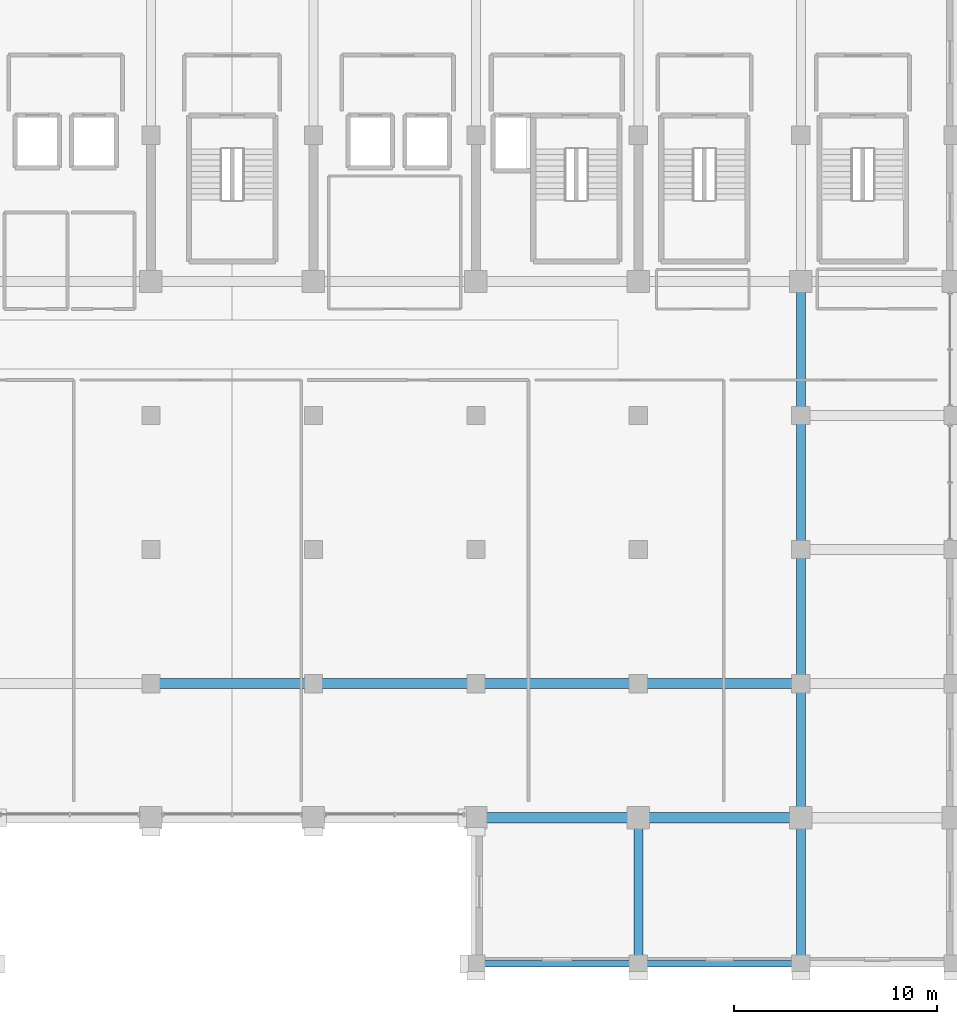
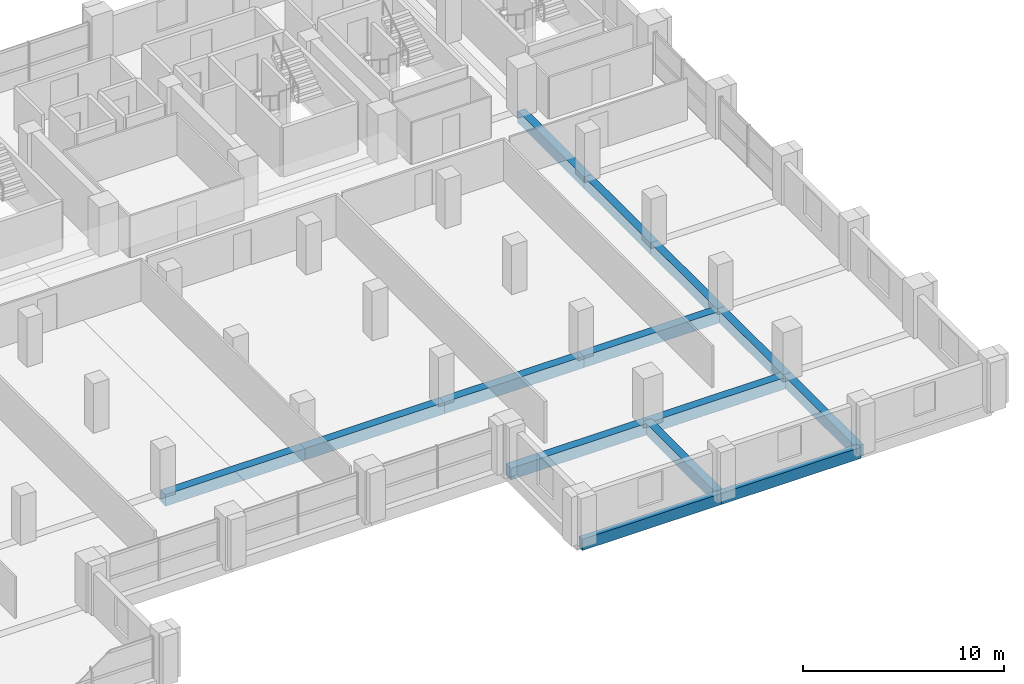
# One storey, part 7 of 21: 14 beams.
"""IFC4 building model written with IfcOpenShell, lengths in metres."""

from ifc_helpers import new_model, si_unit, direction, frame, origin, origin_2d, place, context, subcontext, project, spatial, rectangle, extrude, material, material_profile, profile_set, type_object, element, save


model = new_model("IFC4")

# Units and contexts
model_context = context("Model", 3, precision=1e-05, world=origin(), true_north=direction((0.0, 1.0)))
body_context = subcontext(model_context, "Body", "Model", "MODEL_VIEW")
ifc_project = project(units=[si_unit("LENGTHUNIT", "METRE"), si_unit("AREAUNIT", "SQUARE_METRE"), si_unit("VOLUMEUNIT", "CUBIC_METRE"), si_unit("PLANEANGLEUNIT", "RADIAN"), si_unit("MASSUNIT", "GRAM", prefix="KILO")], contexts=[model_context])

# Site, building, storey
site_placement = place(None, origin())
site = spatial("IfcSite", under=ifc_project, at=site_placement, CompositionType="ELEMENT")
building_placement = place(site_placement, origin())
building = spatial("IfcBuilding", under=site, at=building_placement, Name="Akrevak Sports Hall", CompositionType="ELEMENT")
storey_placement = place(building_placement, frame((0.0, 0.0, 27.550048828125)))
storey = spatial("IfcBuildingStorey", under=building, at=storey_placement, Name="L05", CompositionType="ELEMENT", Elevation=27.550048828125)

# Beams
ifc_material = material(Name="Concrete C40/50", Category="concrete")
ifc_material_profile_1 = material_profile(ifc_material, rectangle(XDim=0.449951171875, YDim=0.699951171875, at=origin_2d()), Name="BM 450x700", Category="concrete")
ifc_profile_set_1 = profile_set([ifc_material_profile_1], Name="Concrete C40/50")
beam_type_1 = type_object("IfcBeamType", Name="STR-BM-RC450x700", PredefinedType="BEAM", material=ifc_profile_set_1)
for number, where, z_axis, x_axis, name in (
    (1, (100.0, 21.60009765625, -0.35009765625), (0.0, 1.0, 0.0), (-1.0, 0.0, 0.0), "Girder 14/D-E (L05)"),
    (2, (108.0, 21.60009765625, -0.35009765625), (0.0, 1.0, 0.0), (-1.0, 0.0, 0.0), "Girder 15/D-E (L05)"),
):
    element("IfcBeam", number, at=place(storey_placement, frame(where, z_axis=z_axis, x_axis=x_axis)), inside=storey, type_object=beam_type_1, Name=name, PredefinedType="BEAM", context=body_context, shape_type="SweptSolid", body=[
        extrude(rectangle(XDim=0.449951171875, YDim=0.699951171875, at=origin_2d()), origin(), (0.0, 0.0, 1.0), 7.199951171875),
    ])
beam_1_placement = place(storey_placement, frame((108.0, 28.800048828125, -0.35009765625), z_axis=(0.0, 1.0, 0.0), x_axis=(-1.0, 0.0, 0.0)))
element("IfcBeam", 3, at=beam_1_placement, inside=storey, type_object=beam_type_1, Name="Girder 15/E-F (L05)", PredefinedType="BEAM", context=body_context, shape_type="SweptSolid", body=[
    extrude(rectangle(XDim=0.449951171875, YDim=0.699951171875, at=origin_2d()), origin(), (0.0, 0.0, 1.0), 6.599853515625),
])
for number, where, z_axis, x_axis, name in (
    (4, (108.0, 35.39990234375, -0.35009765625), (0.0, 1.0, 0.0), (-1.0, 0.0, 0.0), "Girder 15/F-G (L05)"),
    (5, (108.0, 42.0, -0.35009765625), (0.0, 1.0, 0.0), (-1.0, 0.0, 0.0), "Girder 15/G-H (L05)"),
):
    element("IfcBeam", number, at=place(storey_placement, frame(where, z_axis=z_axis, x_axis=x_axis)), inside=storey, type_object=beam_type_1, Name=name, PredefinedType="BEAM", context=body_context, shape_type="SweptSolid", body=[
        extrude(rectangle(XDim=0.449951171875, YDim=0.699951171875, at=origin_2d()), origin(), (0.0, 0.0, 1.0), 6.60009765625),
    ])
beam_2_placement = place(storey_placement, frame((108.0, 48.60009765625, -0.35009765625), z_axis=(0.0, 1.0, 0.0), x_axis=(-1.0, 0.0, 0.0)))
element("IfcBeam", 6, at=beam_2_placement, inside=storey, type_object=beam_type_1, Name="Girder 15/H-I (L05)", PredefinedType="BEAM", context=body_context, shape_type="SweptSolid", body=[
    extrude(rectangle(XDim=0.449951171875, YDim=0.699951171875, at=origin_2d()), origin(), (0.0, 0.0, 1.0), 6.599853515625),
])
ifc_material_profile_2 = material_profile(ifc_material, rectangle(XDim=0.5, YDim=0.699951171875, at=origin_2d()), Name="BM 500x700", Category="concrete")
ifc_profile_set_2 = profile_set([ifc_material_profile_2], Name="Concrete C40/50")
beam_type_2 = type_object("IfcBeamType", Name="STR-BM-RC500x700", PredefinedType="BEAM", material=ifc_profile_set_2)
for number, where, z_axis, x_axis, name in (
    (7, (92.0, 28.800048828125, -0.35009765625), (1.0, 0.0, 0.0), (0.0, 1.0, 0.0), "Girder E/13-14 (L05)"),
    (8, (100.0, 28.800048828125, -0.35009765625), (1.0, 0.0, 0.0), (0.0, 1.0, 0.0), "Girder E/14-15 (L05)"),
    (9, (76.0, 35.39990234375, -0.35009765625), (1.0, 0.0, 0.0), (0.0, 1.0, 0.0), "Girder F/11-12 (L05)"),
    (10, (84.0, 35.39990234375, -0.35009765625), (1.0, 0.0, 0.0), (0.0, 1.0, 0.0), "Girder F/12-13 (L05)"),
    (11, (92.0, 35.39990234375, -0.35009765625), (1.0, 0.0, 0.0), (0.0, 1.0, 0.0), "Girder F/13-14 (L05)"),
    (12, (100.0, 35.39990234375, -0.35009765625), (1.0, 0.0, 0.0), (0.0, 1.0, 0.0), "Girder F/14-15 (L05)"),
):
    element("IfcBeam", number, at=place(storey_placement, frame(where, z_axis=z_axis, x_axis=x_axis)), inside=storey, type_object=beam_type_2, Name=name, PredefinedType="BEAM", context=body_context, shape_type="SweptSolid", body=[
        extrude(rectangle(XDim=0.5, YDim=0.699951171875, at=origin_2d()), origin(), (0.0, 0.0, 1.0), 8.0),
    ])
ifc_material_profile_3 = material_profile(ifc_material, rectangle(XDim=0.320068359375, YDim=0.679931640625, at=origin_2d()), Name="SPD 320x680", Category="concrete")
ifc_profile_set_3 = profile_set([ifc_material_profile_3], Name="Concrete C40/50")
beam_type_3 = type_object("IfcBeamType", Name="STR-SPD-RC320x680", PredefinedType="SPANDREL", material=ifc_profile_set_3)
for number, where, z_axis, x_axis, name in (
    (13, (92.0, 21.60009765625, -0.340087890625), (1.0, 0.0, 0.0), (0.0, 1.0, 0.0), "Girder D/13-14 (L05)"),
    (14, (100.0, 21.60009765625, -0.340087890625), (1.0, 0.0, 0.0), (0.0, 1.0, 0.0), "Girder D/14-15 (L05)"),
):
    element("IfcBeam", number, at=place(storey_placement, frame(where, z_axis=z_axis, x_axis=x_axis)), inside=storey, type_object=beam_type_3, Name=name, PredefinedType="SPANDREL", context=body_context, shape_type="SweptSolid", body=[
        extrude(rectangle(XDim=0.320068359375, YDim=0.679931640625, at=origin_2d()), origin(), (0.0, 0.0, 1.0), 8.0),
    ])

save(model, "model.ifc")
